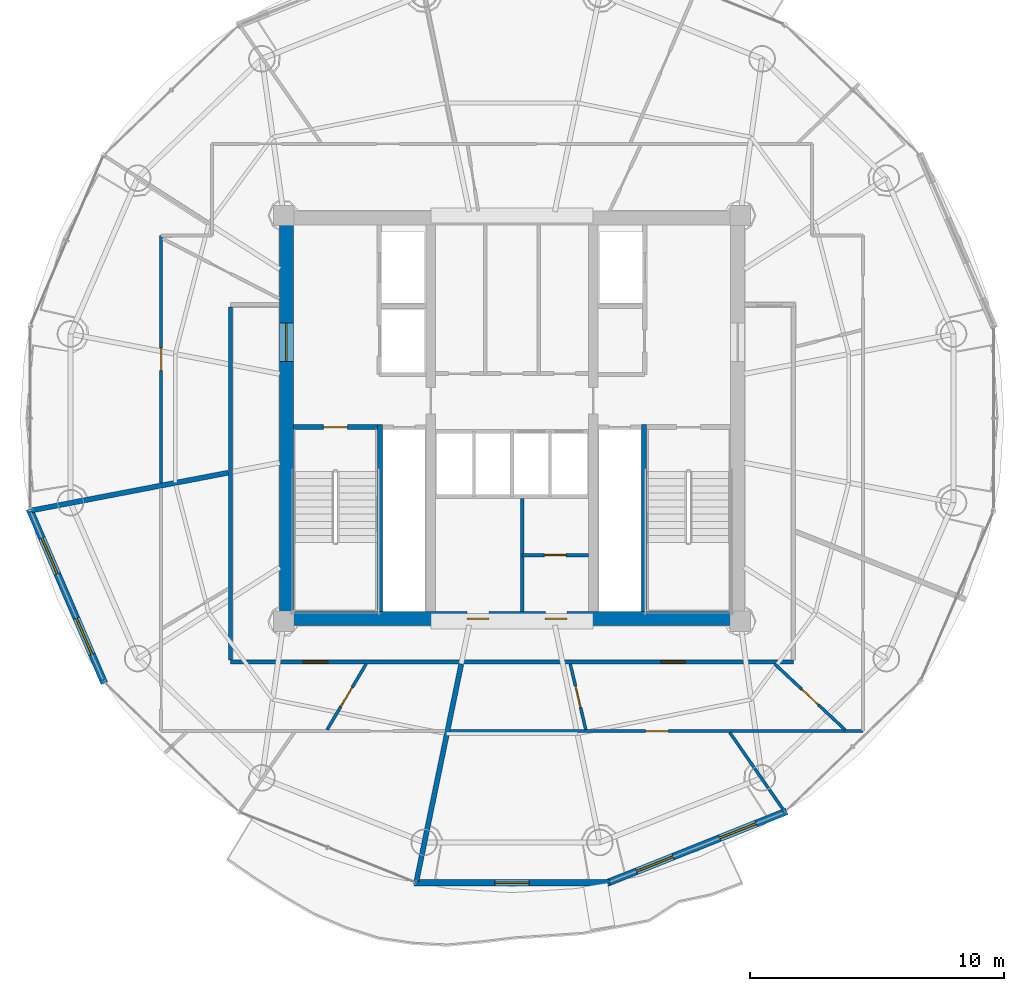
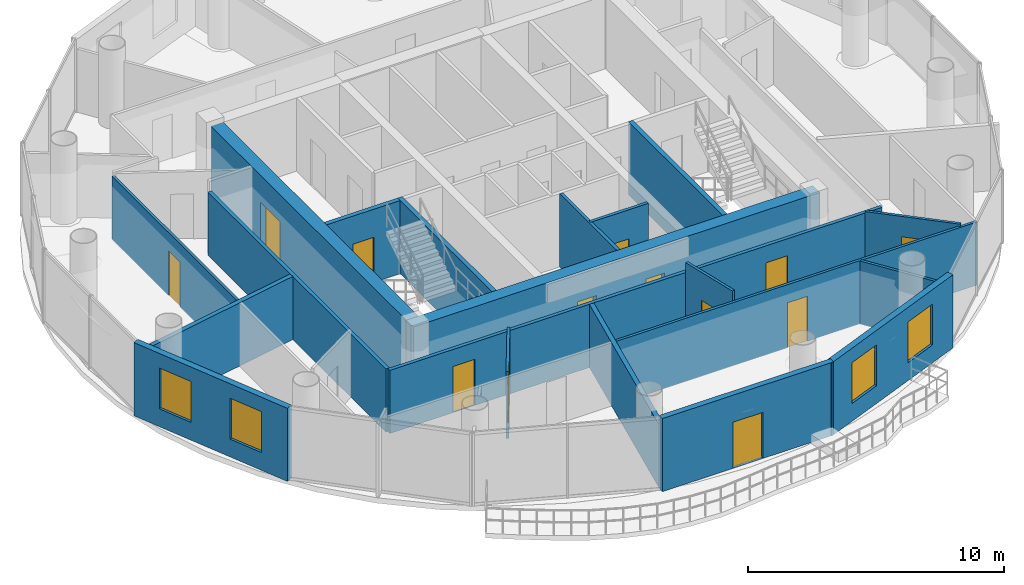
# One storey, part 17 of 23: 20 walls, 13 doors, 4 windows, 17 openings.
"""IFC4 building model written with IfcOpenShell, lengths in metres."""

from ifc_helpers import new_model, si_unit, direction, frame, frame_2d, origin, place, context, subcontext, project, spatial, rectangle, extrude, source, transform, mapped, material, layer, layer_set, type_object, element, fill, save


model = new_model("IFC4")

# Units and contexts
model_context = context("Model", 3, precision=1e-05, world=origin(), true_north=direction((-0.2419218956, 0.970295726276)))
body_context = subcontext(model_context, "Body", "Model", "MODEL_VIEW")
ifc_project = project(units=[si_unit("LENGTHUNIT", "METRE"), si_unit("AREAUNIT", "SQUARE_METRE"), si_unit("VOLUMEUNIT", "CUBIC_METRE"), si_unit("PLANEANGLEUNIT", "RADIAN"), si_unit("MASSUNIT", "GRAM", prefix="KILO")], contexts=[model_context])

# Site, building, storey
site_placement = place(None, origin())
site = spatial("IfcSite", under=ifc_project, at=site_placement, CompositionType="ELEMENT")
building_placement = place(site_placement, origin())
building = spatial("IfcBuilding", under=site, at=building_placement, Name="Cobrevalo Terracotta Tower", CompositionType="ELEMENT")
storey_placement = place(building_placement, frame((0.0, 0.0, 248.199951171875)))
storey = spatial("IfcBuildingStorey", under=building, at=storey_placement, Name="L65", CompositionType="ELEMENT", Elevation=248.199951171875)

# Wall, openings, doors
ifc_material_1 = material(Name="Concrete C50", Category="concrete")
ifc_layer_1 = layer(ifc_material_1, 0.550048828125)
ifc_layer_set_1 = layer_set([ifc_layer_1], Name="Concrete C50")
wall_type_1 = type_object("IfcWallType", Name="Core shear wall 550 mm Concrete C50", PredefinedType="SHEAR", material=ifc_layer_set_1)
wall_1_placement = place(storey_placement, frame((28.824951171875, 18.89990234375, 0.0), z_axis=(0.0, 0.0, 1.0), x_axis=(1.0, 0.0, 0.0)))
wall_1 = element("IfcWall", 1, at=wall_1_placement, inside=storey, type_object=wall_type_1, Name="L65 south core shear wall", PredefinedType="SHEAR", context=body_context, shape_type="SweptSolid", body=[
    extrude(rectangle(XDim=18.35009765625, YDim=0.550048828125, at=frame_2d((9.175048828125, 0.0))), origin(), (0.0, 0.0, 1.0), 3.489990234375),
])
opening_1_placement = place(wall_1_placement, frame((7.409912109375, 0.0, 0.0)))
opening_1 = element("IfcOpeningElement", 2, at=opening_1_placement, cuts=wall_1, Name="Opening ID-22", PredefinedType="OPENING", context=body_context, shape_type="SweptSolid", body=[
    extrude(rectangle(XDim=0.85009765625, YDim=2.10009765625, at=frame_2d((0.425048828125, 1.050048828125))), frame((0.0, 0.28515625, 0.0), z_axis=(0.0, -1.0, 0.0), x_axis=(1.0, 0.0, 0.0)), (0.0, 0.0, 1.0), 0.570068359375),
])
opening_2_placement = place(wall_1_placement, frame((10.489990234375, 0.0, 0.0)))
opening_2 = element("IfcOpeningElement", 3, at=opening_2_placement, cuts=wall_1, Name="Opening ID-22", PredefinedType="OPENING", context=body_context, shape_type="SweptSolid", body=[
    extrude(rectangle(XDim=0.85009765625, YDim=2.10009765625, at=frame_2d((0.425048828125, 1.050048828125))), frame((0.0, 0.28515625, 0.0), z_axis=(0.0, -1.0, 0.0), x_axis=(1.0, 0.0, 0.0)), (0.0, 0.0, 1.0), 0.570068359375),
])
ifc_material_2 = material(Name="Powder-coated steel", Category="steel")
door_type_1 = type_object("IfcDoorType", Name="Riser shaft & meter closet fire access door 850x2100 EI 60", OperationType="NOTDEFINED", PredefinedType="DOOR", material=ifc_material_2)
shared_shape_1 = source(origin(), body_context, "Body", "SweptSolid", [
    extrude(rectangle(XDim=0.85009765625, YDim=2.10009765625, at=frame_2d((0.425048828125, 1.050048828125))), frame((0.0, 0.02490234375, 0.0), z_axis=(0.0, -1.0, 0.0), x_axis=(1.0, 0.0, 0.0)), (0.0, 0.0, 1.0), 0.050048828125),
])
door_1_placement = place(opening_1_placement, origin())
door_1 = element("IfcDoor", 4, at=door_1_placement, inside=storey, type_object=door_type_1, Name="L65 core south plant door Floor AHU Mechanical Plant", OperationType="SINGLE_SWING_RIGHT", OverallHeight=2.10009765625, OverallWidth=0.85009765625, PredefinedType="DOOR", context=body_context, shape_type="MappedRepresentation", body=[
    mapped(shared_shape_1, transform((0.0, 0.0, 0.0), scale=1.0)),
])
fill(opening_1, door_1)
door_2_placement = place(opening_2_placement, origin())
door_2 = element("IfcDoor", 5, at=door_2_placement, inside=storey, type_object=door_type_1, Name="L65 core south plant door Sprinkler Valve Plant", OperationType="SINGLE_SWING_RIGHT", OverallHeight=2.10009765625, OverallWidth=0.85009765625, PredefinedType="DOOR", context=body_context, shape_type="MappedRepresentation", body=[
    mapped(shared_shape_1, transform((0.0, 0.0, 0.0), scale=1.0)),
])
fill(opening_2, door_2)

# Wall, opening, door
wall_2_placement = place(storey_placement, frame((29.10009765625, 19.175048828125, 0.0), z_axis=(0.0, 0.0, 1.0), x_axis=(0.0, 1.0, 0.0)))
wall_2 = element("IfcWall", 6, at=wall_2_placement, inside=storey, type_object=wall_type_1, Name="L65 west core shear wall", PredefinedType="SHEAR", context=body_context, shape_type="SweptSolid", body=[
    extrude(rectangle(XDim=15.25, YDim=0.550048828125, at=frame_2d((7.625, 0.0))), origin(), (0.0, 0.0, 1.0), 3.489990234375),
])
opening_3_placement = place(wall_2_placement, frame((9.875, 0.0, 0.0)))
opening_3 = element("IfcOpeningElement", 7, at=opening_3_placement, cuts=wall_2, Name="Opening ID-14", PredefinedType="OPENING", context=body_context, shape_type="SweptSolid", body=[
    extrude(rectangle(XDim=1.5, YDim=2.199951171875, at=frame_2d((0.75, 1.10009765625))), frame((0.0, 0.28515625, 0.0), z_axis=(0.0, -1.0, 0.0), x_axis=(1.0, 0.0, 0.0)), (0.0, 0.0, 1.0), 0.570068359375),
])
ifc_material_3 = material(Name="Galvanized fire-rated steel", Category="steel")
door_type_2 = type_object("IfcDoorType", Name="Core cross-lobby double fire door 1500x2200 EI 90", OperationType="NOTDEFINED", PredefinedType="DOOR", material=ifc_material_3)
shared_shape_2 = source(origin(), body_context, "Body", "SweptSolid", [
    extrude(rectangle(XDim=1.5, YDim=2.199951171875, at=frame_2d((0.75, 1.10009765625))), frame((0.0, 0.02490234375, 0.0), z_axis=(0.0, -1.0, 0.0), x_axis=(1.0, 0.0, 0.0)), (0.0, 0.0, 1.0), 0.050048828125),
])
door_3_placement = place(opening_3_placement, origin())
door_3 = element("IfcDoor", 8, at=door_3_placement, inside=storey, type_object=door_type_2, Name="L65 west firefighting lobby entrance door", OperationType="DOUBLE_DOOR_SINGLE_SWING", OverallHeight=2.199951171875, OverallWidth=1.5, PredefinedType="DOOR", context=body_context, shape_type="MappedRepresentation", body=[
    mapped(shared_shape_2, transform((0.0, 0.0, 0.0), scale=1.0)),
])
fill(opening_3, door_3)

# Wall, openings, doors
ifc_material_4 = material(Name="Gypsum board on steel stud", Category="steel")
ifc_layer_2 = layer(ifc_material_4, 0.159912109375)
ifc_layer_set_2 = layer_set([ifc_layer_2], Name="Gypsum board on steel stud")
wall_type_2 = type_object("IfcWallType", Name="Fire-rated corridor acoustic partition wall 160 mm", PredefinedType="PARTITIONING", material=ifc_layer_set_2)
wall_3_placement = place(storey_placement, frame((26.89501953125, 17.195068359375, 0.0), z_axis=(0.0, 0.0, 1.0), x_axis=(1.0, 0.0, 0.0)))
wall_3 = element("IfcWall", 9, at=wall_3_placement, inside=storey, type_object=wall_type_2, Name="L65 interior partition IW-L65-COR-S", PredefinedType="PARTITIONING", context=body_context, shape_type="SweptSolid", body=[
    extrude(rectangle(XDim=22.2099609375, YDim=0.159912109375, at=frame_2d((11.10498046875, 0.0))), origin(), (0.0, 0.0, 1.0), 3.01513671875),
])
opening_4_placement = place(wall_3_placement, frame((2.86083984375, 0.0, 0.0)))
opening_4 = element("IfcOpeningElement", 10, at=opening_4_placement, cuts=wall_3, Name="Opening ID-05", PredefinedType="OPENING", context=body_context, shape_type="SweptSolid", body=[
    extrude(rectangle(XDim=0.97998046875, YDim=2.199951171875, at=frame_2d((0.489990234375, 1.10009765625))), frame((0.0, 0.08984375, 0.0), z_axis=(0.0, -1.0, 0.0), x_axis=(1.0, 0.0, 0.0)), (0.0, 0.0, 1.0), 0.179931640625),
])
opening_5_placement = place(wall_3_placement, frame((16.97021484375, 0.0, 0.0)))
opening_5 = element("IfcOpeningElement", 11, at=opening_5_placement, cuts=wall_3, Name="Opening ID-05", PredefinedType="OPENING", context=body_context, shape_type="SweptSolid", body=[
    extrude(rectangle(XDim=0.97998046875, YDim=2.199951171875, at=frame_2d((0.489990234375, 1.10009765625))), frame((0.0, 0.08984375, 0.0), z_axis=(0.0, -1.0, 0.0), x_axis=(1.0, 0.0, 0.0)), (0.0, 0.0, 1.0), 0.179931640625),
])
ifc_material_5 = material(Name="Solid hardwood timber", Category="wood")
door_type_3 = type_object("IfcDoorType", Name="Residence entrance fire-rated acoustic timber door 980x2200 EI 60", OperationType="NOTDEFINED", PredefinedType="DOOR", material=ifc_material_5)
shared_shape_3 = source(origin(), body_context, "Body", "SweptSolid", [
    extrude(rectangle(XDim=0.97998046875, YDim=2.199951171875, at=frame_2d((0.489990234375, 1.10009765625))), frame((0.0, 0.02490234375, 0.0), z_axis=(0.0, -1.0, 0.0), x_axis=(1.0, 0.0, 0.0)), (0.0, 0.0, 1.0), 0.050048828125),
])
door_4_placement = place(opening_4_placement, origin())
door_4 = element("IfcDoor", 12, at=door_4_placement, inside=storey, type_object=door_type_3, Name="Flat L65B fire-rated apartment entrance door", OperationType="SINGLE_SWING_RIGHT", OverallHeight=2.199951171875, OverallWidth=0.97998046875, PredefinedType="DOOR", context=body_context, shape_type="MappedRepresentation", body=[
    mapped(shared_shape_3, transform((0.0, 0.0, 0.0), scale=1.0)),
])
fill(opening_4, door_4)
door_5_placement = place(opening_5_placement, frame((0.97998046875, 0.0, 0.0), z_axis=(0.0, 0.0, 1.0), x_axis=(-1.0, 0.0, 0.0)))
door_5 = element("IfcDoor", 13, at=door_5_placement, inside=storey, type_object=door_type_3, Name="Flat L65C fire-rated apartment entrance door", OperationType="SINGLE_SWING_LEFT", OverallHeight=2.199951171875, OverallWidth=0.97998046875, PredefinedType="DOOR", context=body_context, shape_type="MappedRepresentation", body=[
    mapped(shared_shape_3, transform((0.0, 0.0, 0.0), scale=1.0)),
])
fill(opening_5, door_5)

# Walls
wall_4_placement = place(storey_placement, frame((26.89501953125, 17.27490234375, 0.0), z_axis=(0.0, 0.0, 1.0), x_axis=(0.0, 1.0, 0.0)))
element("IfcWall", 14, at=wall_4_placement, inside=storey, type_object=wall_type_2, Name="L65 interior partition IW-L65-COR-W", PredefinedType="PARTITIONING", context=body_context, shape_type="SweptSolid", body=[
    extrude(rectangle(XDim=13.925048828125, YDim=0.159912109375, at=frame_2d((6.96240234375, 0.0))), origin(), (0.0, 0.0, 1.0), 3.01513671875),
])
ifc_material_6 = material(Name="Autoclaved aerated concrete block", Category="concrete")
ifc_layer_3 = layer(ifc_material_6, 0.199951171875)
ifc_layer_set_3 = layer_set([ifc_layer_3], Name="Autoclaved aerated concrete block")
wall_type_3 = type_object("IfcWallType", Name="Fire-rated stair, shaft & demising masonry wall 200 mm", PredefinedType="PARTITIONING", material=ifc_layer_set_3)
wall_5_placement = place(storey_placement, frame((26.81494140625, 24.655517578125, 0.0), z_axis=(0.0, 0.0, 1.0), x_axis=(-0.982109889803, -0.188308694305, 0.0)))
element("IfcWall", 15, at=wall_5_placement, inside=storey, type_object=wall_type_3, Name="L65 interior partition IW-L65-DEM-2", PredefinedType="PARTITIONING", context=body_context, shape_type="SweptSolid", body=[
    extrude(rectangle(XDim=7.884033203125, YDim=0.199951171875, at=frame_2d((3.94189453125, 0.0))), origin(), (0.0, 0.0, 1.0), 3.01513671875),
])
wall_6_placement = place(storey_placement, frame((36.00146484375, 17.114990234375, 0.0), z_axis=(0.0, 0.0, 1.0), x_axis=(-0.202108543081, -0.979363128167, 0.0)))
element("IfcWall", 16, at=wall_6_placement, inside=storey, type_object=wall_type_3, Name="L65 interior partition IW-L65-DEM-3", PredefinedType="PARTITIONING", context=body_context, shape_type="SweptSolid", body=[
    extrude(rectangle(XDim=8.738525390625, YDim=0.199951171875, at=frame_2d((4.369140625, 0.0))), origin(), (0.0, 0.0, 1.0), 3.01513671875),
])

# Wall, openings, windows
ifc_layer_4 = layer(ifc_material_6, 0.280029296875)
ifc_layer_set_4 = layer_set([ifc_layer_4], Name="Autoclaved aerated concrete block")
wall_type_4 = type_object("IfcWallType", Name="Insulated tower spandrel & pier wall 280 mm with terracotta rainscreen", PredefinedType="SOLIDWALL", material=ifc_layer_set_4)
wall_7_placement = place(storey_placement, frame((18.970703125, 23.231201171875, 0.0), z_axis=(0.0, 0.0, 1.0), x_axis=(0.394816612978, -0.918759948037, 0.0)))
wall_7 = element("IfcWall", 17, at=wall_7_placement, inside=storey, type_object=wall_type_4, Name="L65 terracotta rainscreen pier wall S09", PredefinedType="SOLIDWALL", context=body_context, shape_type="SweptSolid", body=[
    extrude(rectangle(XDim=7.4853515625, YDim=0.280029296875, at=frame_2d((3.74267578125, 0.0))), origin(), (0.0, 0.0, 1.0), 3.489990234375),
])
opening_6_placement = place(wall_7_placement, frame((1.24609375, 0.0, 0.85009765625)))
opening_6 = element("IfcOpeningElement", 18, at=opening_6_placement, cuts=wall_7, Name="Opening WN-12", PredefinedType="OPENING", context=body_context, shape_type="SweptSolid", body=[
    extrude(rectangle(XDim=1.550048828125, YDim=1.949951171875, at=frame_2d((0.77490234375, 0.97509765625))), frame((0.0, 0.14990234375, 0.0), z_axis=(0.0, -1.0, 0.0), x_axis=(1.0, 0.0, 0.0)), (0.0, 0.0, 1.0), 0.300048828125),
])
opening_7_placement = place(wall_7_placement, frame((4.689208984375, 0.0, 0.85009765625)))
opening_7 = element("IfcOpeningElement", 19, at=opening_7_placement, cuts=wall_7, Name="Opening WN-12", PredefinedType="OPENING", context=body_context, shape_type="SweptSolid", body=[
    extrude(rectangle(XDim=1.550048828125, YDim=1.949951171875, at=frame_2d((0.77490234375, 0.97509765625))), frame((0.0, 0.14990234375, 0.0), z_axis=(0.0, -1.0, 0.0), x_axis=(1.0, 0.0, 0.0)), (0.0, 0.0, 1.0), 0.300048828125),
])
ifc_material_7 = material(Name="Solar-control low-E double glazing", Category="glass")
window_type = type_object("IfcWindowType", Name="Solar-control low-E aluminium window 1550x1950", PartitioningType="SINGLE_PANEL", PredefinedType="WINDOW", material=ifc_material_7)
shared_shape_4 = source(origin(), body_context, "Body", "SweptSolid", [
    extrude(rectangle(XDim=1.550048828125, YDim=1.949951171875, at=frame_2d((0.77490234375, 0.97509765625))), frame((0.0, 0.030029296875, 0.0), z_axis=(0.0, -1.0, 0.0), x_axis=(1.0, 0.0, 0.0)), (0.0, 0.0, 1.0), 0.06005859375),
])
window_1_placement = place(opening_6_placement, origin())
window_1 = element("IfcWindow", 20, at=window_1_placement, inside=storey, type_object=window_type, Name="L65 suite window S09A", OverallHeight=1.949951171875, OverallWidth=1.550048828125, PartitioningType="SINGLE_PANEL", PredefinedType="WINDOW", context=body_context, shape_type="MappedRepresentation", body=[
    mapped(shared_shape_4, transform((0.0, 0.0, 0.0), scale=1.0)),
])
fill(opening_6, window_1)
window_2_placement = place(opening_7_placement, origin())
window_2 = element("IfcWindow", 21, at=window_2_placement, inside=storey, type_object=window_type, Name="L65 suite window S09B", OverallHeight=1.949951171875, OverallWidth=1.550048828125, PartitioningType="SINGLE_PANEL", PredefinedType="WINDOW", context=body_context, shape_type="MappedRepresentation", body=[
    mapped(shared_shape_4, transform((0.0, 0.0, 0.0), scale=1.0)),
])
fill(opening_7, window_2)

wall_8_placement = place(storey_placement, frame((41.70458984375, 8.458984375, 0.0), z_axis=(0.0, 0.0, 1.0), x_axis=(0.92871332341, 0.370798547626, 0.0)))
wall_8 = element("IfcWall", 22, at=wall_8_placement, inside=storey, type_object=wall_type_4, Name="L65 terracotta rainscreen pier wall S13", PredefinedType="SOLIDWALL", context=body_context, shape_type="SweptSolid", body=[
    extrude(rectangle(XDim=7.678466796875, YDim=0.280029296875, at=frame_2d((3.83935546875, 0.0))), origin(), (0.0, 0.0, 1.0), 3.489990234375),
])
opening_8_placement = place(wall_8_placement, frame((1.298095703125, 0.0, 0.85009765625)))
opening_8 = element("IfcOpeningElement", 23, at=opening_8_placement, cuts=wall_8, Name="Opening WN-12", PredefinedType="OPENING", context=body_context, shape_type="SweptSolid", body=[
    extrude(rectangle(XDim=1.550048828125, YDim=1.949951171875, at=frame_2d((0.77490234375, 0.97509765625))), frame((0.0, 0.14990234375, 0.0), z_axis=(0.0, -1.0, 0.0), x_axis=(1.0, 0.0, 0.0)), (0.0, 0.0, 1.0), 0.300048828125),
])
opening_9_placement = place(wall_8_placement, frame((4.830078125, 0.0, 0.85009765625)))
opening_9 = element("IfcOpeningElement", 24, at=opening_9_placement, cuts=wall_8, Name="Opening WN-12", PredefinedType="OPENING", context=body_context, shape_type="SweptSolid", body=[
    extrude(rectangle(XDim=1.550048828125, YDim=1.949951171875, at=frame_2d((0.77490234375, 0.97509765625))), frame((0.0, 0.14990234375, 0.0), z_axis=(0.0, -1.0, 0.0), x_axis=(1.0, 0.0, 0.0)), (0.0, 0.0, 1.0), 0.300048828125),
])
window_3_placement = place(opening_8_placement, origin())
window_3 = element("IfcWindow", 25, at=window_3_placement, inside=storey, type_object=window_type, Name="L65 suite window S13A", OverallHeight=1.949951171875, OverallWidth=1.550048828125, PartitioningType="SINGLE_PANEL", PredefinedType="WINDOW", context=body_context, shape_type="MappedRepresentation", body=[
    mapped(shared_shape_4, transform((0.0, 0.0, 0.0), scale=1.0)),
])
fill(opening_8, window_3)
window_4_placement = place(opening_9_placement, origin())
window_4 = element("IfcWindow", 26, at=window_4_placement, inside=storey, type_object=window_type, Name="L65 suite window S13B", OverallHeight=1.949951171875, OverallWidth=1.550048828125, PartitioningType="SINGLE_PANEL", PredefinedType="WINDOW", context=body_context, shape_type="MappedRepresentation", body=[
    mapped(shared_shape_4, transform((0.0, 0.0, 0.0), scale=1.0)),
])
fill(opening_9, window_4)

# Wall
ifc_layer_5 = layer(ifc_material_6, 0.139892578125)
ifc_layer_set_5 = layer_set([ifc_layer_5], Name="Autoclaved aerated concrete block")
wall_type_5 = type_object("IfcWallType", Name="Moisture-resistant wet-room & core service partition 140 mm", PredefinedType="PARTITIONING", material=ifc_layer_set_5)
wall_9_placement = place(storey_placement, frame((38.39990234375, 19.175048828125, 0.0), z_axis=(0.0, 0.0, 1.0), x_axis=(0.0, 1.0, 0.0)))
element("IfcWall", 27, at=wall_9_placement, inside=storey, type_object=wall_type_5, Name="L65 interior partition IW-L65-KVS-L1", PredefinedType="PARTITIONING", context=body_context, shape_type="SweptSolid", body=[
    extrude(rectangle(XDim=4.46484375, YDim=0.139892578125, at=frame_2d((2.232421875, 0.0))), origin(), (0.0, 0.0, 1.0), 3.489990234375),
])

# Wall, opening, door
wall_10_placement = place(storey_placement, frame((38.39990234375, 21.407470703125, 0.0), z_axis=(0.0, 0.0, 1.0), x_axis=(1.0, 0.0, 0.0)))
wall_10 = element("IfcWall", 28, at=wall_10_placement, inside=storey, type_object=wall_type_5, Name="L65 interior partition IW-L65-KVS-L2", PredefinedType="PARTITIONING", context=body_context, shape_type="SweptSolid", body=[
    extrude(rectangle(XDim=2.610107421875, YDim=0.139892578125, at=frame_2d((1.30517578125, 0.0))), origin(), (0.0, 0.0, 1.0), 3.489990234375),
])
opening_10_placement = place(wall_10_placement, frame((0.8798828125, 0.0, 0.0)))
opening_10 = element("IfcOpeningElement", 29, at=opening_10_placement, cuts=wall_10, Name="Opening ID-22", PredefinedType="OPENING", context=body_context, shape_type="SweptSolid", body=[
    extrude(rectangle(XDim=0.85009765625, YDim=2.10009765625, at=frame_2d((0.425048828125, 1.050048828125))), frame((0.0, 0.080078125, 0.0), z_axis=(0.0, -1.0, 0.0), x_axis=(1.0, 0.0, 0.0)), (0.0, 0.0, 1.0), 0.159912109375),
])
door_6_placement = place(opening_10_placement, origin())
door_6 = element("IfcDoor", 30, at=door_6_placement, inside=storey, type_object=door_type_1, Name="L65 core KVS-L2 inner door", OperationType="SINGLE_SWING_LEFT", OverallHeight=2.10009765625, OverallWidth=0.85009765625, PredefinedType="DOOR", context=body_context, shape_type="MappedRepresentation", body=[
    mapped(shared_shape_1, transform((0.0, 0.0, 0.0), scale=1.0)),
])
fill(opening_10, door_6)

ifc_layer_6 = layer(ifc_material_6, 0.260009765625)
ifc_layer_set_6 = layer_set([ifc_layer_6], Name="Autoclaved aerated concrete block")
wall_type_6 = type_object("IfcWallType", Name="Recessed balcony loggia insulated exterior wall 260 mm", PredefinedType="SOLIDWALL", material=ifc_layer_set_6)
wall_11_placement = place(storey_placement, frame((34.14111328125, 8.48876953125, 0.0), z_axis=(0.0, 0.0, 1.0), x_axis=(1.0, 0.0, 0.0)))
wall_11 = element("IfcWall", 31, at=wall_11_placement, inside=storey, type_object=wall_type_6, Name="L65 balcony loggia wall S12", PredefinedType="SOLIDWALL", context=body_context, shape_type="SweptSolid", body=[
    extrude(rectangle(XDim=7.7177734375, YDim=0.260009765625, at=frame_2d((3.85888671875, 0.0))), origin(), (0.0, 0.0, 1.0), 3.489990234375),
])
opening_11_placement = place(wall_11_placement, frame((3.183837890625, 0.0, 0.0)))
opening_11 = element("IfcOpeningElement", 32, at=opening_11_placement, cuts=wall_11, Name="Opening ED-05", PredefinedType="OPENING", context=body_context, shape_type="SweptSolid", body=[
    extrude(rectangle(XDim=1.35009765625, YDim=2.199951171875, at=frame_2d((0.675048828125, 1.10009765625))), frame((0.0, 0.14013671875, 0.0), z_axis=(0.0, -1.0, 0.0), x_axis=(1.0, 0.0, 0.0)), (0.0, 0.0, 1.0), 0.280029296875),
])
ifc_material_8 = material(Name="Anodized aluminium and laminated glass", Category="aluminium")
door_type_4 = type_object("IfcDoorType", Name="Suite balcony acoustic glazed terrace door 1350x2200", OperationType="NOTDEFINED", PredefinedType="DOOR", material=ifc_material_8)
shared_shape_5 = source(origin(), body_context, "Body", "SweptSolid", [
    extrude(rectangle(XDim=1.35009765625, YDim=2.199951171875, at=frame_2d((0.675048828125, 1.10009765625))), frame((0.0, 0.02490234375, 0.0), z_axis=(0.0, -1.0, 0.0), x_axis=(1.0, 0.0, 0.0)), (0.0, 0.0, 1.0), 0.050048828125),
])
door_7_placement = place(opening_11_placement, frame((1.35009765625, 0.0, 0.0), z_axis=(0.0, 0.0, 1.0), x_axis=(-1.0, 0.0, 0.0)))
door_7 = element("IfcDoor", 33, at=door_7_placement, inside=storey, type_object=door_type_4, Name="L65 glazed balcony terrace door 2", OperationType="SINGLE_SWING_RIGHT", OverallHeight=2.199951171875, OverallWidth=1.35009765625, PredefinedType="DOOR", context=body_context, shape_type="MappedRepresentation", body=[
    mapped(shared_shape_5, transform((0.0, 0.0, 0.0), scale=1.0)),
])
fill(opening_11, door_7)

ifc_layer_7 = layer(ifc_material_4, 0.1201171875)
ifc_layer_set_7 = layer_set([ifc_layer_7], Name="Gypsum board on steel stud")
wall_type_7 = type_object("IfcWallType", Name="Residential internal acoustic stud partition 120 mm", PredefinedType="PARTITIONING", material=ifc_layer_set_7)
wall_12_placement = place(storey_placement, frame((24.1650390625, 24.249267578125, 0.0), z_axis=(0.0, 0.0, 1.0), x_axis=(0.0, 1.0, 0.0)))
wall_12 = element("IfcWall", 34, at=wall_12_placement, inside=storey, type_object=wall_type_7, Name="L65 interior partition IW-L65-U1-RING0_0", PredefinedType="PARTITIONING", context=body_context, shape_type="SweptSolid", body=[
    extrude(rectangle(XDim=9.7607421875, YDim=0.1201171875, at=frame_2d((4.88037109375, 0.0))), origin(), (0.0, 0.0, 1.0), 3.01513671875),
])
opening_12_placement = place(wall_12_placement, frame((4.430419921875, 0.0, 0.0)))
opening_12 = element("IfcOpeningElement", 35, at=opening_12_placement, cuts=wall_12, Name="Opening ID-12", PredefinedType="OPENING", context=body_context, shape_type="SweptSolid", body=[
    extrude(rectangle(XDim=0.89990234375, YDim=2.14990234375, at=frame_2d((0.449951171875, 1.074951171875))), frame((0.0, 0.070068359375, 0.0), z_axis=(0.0, -1.0, 0.0), x_axis=(1.0, 0.0, 0.0)), (0.0, 0.0, 1.0), 0.14013671875),
])
ifc_material_9 = material(Name="Engineered timber", Category="wood")
door_type_5 = type_object("IfcDoorType", Name="Internal residence & suite timber door 900x2150", OperationType="NOTDEFINED", PredefinedType="DOOR", material=ifc_material_9)
shared_shape_6 = source(origin(), body_context, "Body", "SweptSolid", [
    extrude(rectangle(XDim=0.89990234375, YDim=2.14990234375, at=frame_2d((0.449951171875, 1.074951171875))), frame((0.0, 0.02490234375, 0.0), z_axis=(0.0, -1.0, 0.0), x_axis=(1.0, 0.0, 0.0)), (0.0, 0.0, 1.0), 0.050048828125),
])
door_8_placement = place(opening_12_placement, origin())
door_8 = element("IfcDoor", 36, at=door_8_placement, inside=storey, type_object=door_type_5, Name="Flat L65A Private Cinema Room internal door", OperationType="SINGLE_SWING_LEFT", OverallHeight=2.14990234375, OverallWidth=0.89990234375, PredefinedType="DOOR", context=body_context, shape_type="MappedRepresentation", body=[
    mapped(shared_shape_6, transform((0.0, 0.0, 0.0), scale=1.0)),
])
fill(opening_12, door_8)

wall_13_placement = place(storey_placement, frame((32.248291015625, 17.114990234375, 0.0), z_axis=(0.0, 0.0, 1.0), x_axis=(-0.510591051721, -0.85982369001, 0.0)))
wall_13 = element("IfcWall", 37, at=wall_13_placement, inside=storey, type_object=wall_type_7, Name="L65 interior partition IW-L65-U2-IRAD2", PredefinedType="PARTITIONING", context=body_context, shape_type="SweptSolid", body=[
    extrude(rectangle(XDim=3.02001953125, YDim=0.1201171875, at=frame_2d((1.510009765625, 0.0))), origin(), (0.0, 0.0, 1.0), 3.208984375),
])
opening_13_placement = place(wall_13_placement, frame((1.06005859375, 0.0, 0.0)))
opening_13 = element("IfcOpeningElement", 38, at=opening_13_placement, cuts=wall_13, Name="Opening ID-12", PredefinedType="OPENING", context=body_context, shape_type="SweptSolid", body=[
    extrude(rectangle(XDim=0.89990234375, YDim=2.14990234375, at=frame_2d((0.449951171875, 1.074951171875))), frame((0.0, 0.070068359375, 0.0), z_axis=(0.0, -1.0, 0.0), x_axis=(1.0, 0.0, 0.0)), (0.0, 0.0, 1.0), 0.14013671875),
])
door_9_placement = place(opening_13_placement, origin())
door_9 = element("IfcDoor", 39, at=door_9_placement, inside=storey, type_object=door_type_5, Name="Flat L65B Kitchen internal door", OperationType="SINGLE_SWING_LEFT", OverallHeight=2.14990234375, OverallWidth=0.89990234375, PredefinedType="DOOR", context=body_context, shape_type="MappedRepresentation", body=[
    mapped(shared_shape_6, transform((0.0, 0.0, 0.0), scale=1.0)),
])
fill(opening_13, door_9)

wall_14_placement = place(storey_placement, frame((51.8349609375, 14.465087890625, 0.0), z_axis=(0.0, 0.0, 1.0), x_axis=(-1.0, 0.0, 0.0)))
wall_14 = element("IfcWall", 40, at=wall_14_placement, inside=storey, type_object=wall_type_7, Name="L65 interior partition IW-L65-U3-RING1_0", PredefinedType="PARTITIONING", context=body_context, shape_type="SweptSolid", body=[
    extrude(rectangle(XDim=16.2783203125, YDim=0.1201171875, at=frame_2d((8.13916015625, 0.0))), origin(), (0.0, 0.0, 1.0), 3.01513671875),
])
opening_14_placement = place(wall_14_placement, frame((7.664794921875, 0.0, 0.0)))
opening_14 = element("IfcOpeningElement", 41, at=opening_14_placement, cuts=wall_14, Name="Opening ID-12", PredefinedType="OPENING", context=body_context, shape_type="SweptSolid", body=[
    extrude(rectangle(XDim=0.89990234375, YDim=2.14990234375, at=frame_2d((0.449951171875, 1.074951171875))), frame((0.0, 0.070068359375, 0.0), z_axis=(0.0, -1.0, 0.0), x_axis=(1.0, 0.0, 0.0)), (0.0, 0.0, 1.0), 0.14013671875),
])
door_10_placement = place(opening_14_placement, origin())
door_10 = element("IfcDoor", 42, at=door_10_placement, inside=storey, type_object=door_type_5, Name="Flat L65C Living and Dining Room internal door", OperationType="SINGLE_SWING_LEFT", OverallHeight=2.14990234375, OverallWidth=0.89990234375, PredefinedType="DOOR", context=body_context, shape_type="MappedRepresentation", body=[
    mapped(shared_shape_6, transform((0.0, 0.0, 0.0), scale=1.0)),
])
fill(opening_14, door_10)

# Wall
wall_15_placement = place(storey_placement, frame((46.5859375, 14.4140625, 0.0), z_axis=(0.0, 0.0, 1.0), x_axis=(0.569657021681, -0.821882520589, 0.0)))
element("IfcWall", 43, at=wall_15_placement, inside=storey, type_object=wall_type_7, Name="L65 interior partition IW-L65-U3-ORAD1", PredefinedType="PARTITIONING", context=body_context, shape_type="SweptSolid", body=[
    extrude(rectangle(XDim=3.747802734375, YDim=0.1201171875, at=frame_2d((1.8740234375, 0.0))), origin(), (0.0, 0.0, 1.0), 3.01513671875),
])

# Wall, opening, door
wall_16_placement = place(storey_placement, frame((40.29638671875, 17.114990234375, 0.0), z_axis=(0.0, 0.0, 1.0), x_axis=(0.230710960444, -0.973022328999, 0.0)))
wall_16 = element("IfcWall", 44, at=wall_16_placement, inside=storey, type_object=wall_type_7, Name="L65 interior partition IW-L65-U3-IRAD1", PredefinedType="PARTITIONING", context=body_context, shape_type="SweptSolid", body=[
    extrude(rectangle(XDim=2.661376953125, YDim=0.1201171875, at=frame_2d((1.33056640625, 0.0))), origin(), (0.0, 0.0, 1.0), 3.489990234375),
])
opening_15_placement = place(wall_16_placement, frame((0.900634765625, 0.0, 0.0)))
opening_15 = element("IfcOpeningElement", 45, at=opening_15_placement, cuts=wall_16, Name="Opening ID-19", PredefinedType="OPENING", context=body_context, shape_type="SweptSolid", body=[
    extrude(rectangle(XDim=0.860107421875, YDim=2.14990234375, at=frame_2d((0.43017578125, 1.074951171875))), frame((0.0, 0.070068359375, 0.0), z_axis=(0.0, -1.0, 0.0), x_axis=(1.0, 0.0, 0.0)), (0.0, 0.0, 1.0), 0.14013671875),
])
ifc_material_10 = material(Name="Moisture-sealed timber", Category="wood")
door_type_6 = type_object("IfcDoorType", Name="Suite bathroom internal timber door 860x2150", OperationType="NOTDEFINED", PredefinedType="DOOR", material=ifc_material_10)
shared_shape_7 = source(origin(), body_context, "Body", "SweptSolid", [
    extrude(rectangle(XDim=0.860107421875, YDim=2.14990234375, at=frame_2d((0.43017578125, 1.074951171875))), frame((0.0, 0.02490234375, 0.0), z_axis=(0.0, -1.0, 0.0), x_axis=(1.0, 0.0, 0.0)), (0.0, 0.0, 1.0), 0.050048828125),
])
door_11_placement = place(opening_15_placement, frame((0.860107421875, 0.0, 0.0), z_axis=(0.0, 0.0, 1.0), x_axis=(-1.0, 0.0, 0.0)))
door_11 = element("IfcDoor", 46, at=door_11_placement, inside=storey, type_object=door_type_6, Name="Flat L65C Primary Bathroom internal door", OperationType="SINGLE_SWING_RIGHT", OverallHeight=2.14990234375, OverallWidth=0.860107421875, PredefinedType="DOOR", context=body_context, shape_type="MappedRepresentation", body=[
    mapped(shared_shape_7, transform((0.0, 0.0, 0.0), scale=1.0)),
])
fill(opening_15, door_11)

wall_17_placement = place(storey_placement, frame((48.35791015625, 17.114990234375, 0.0), z_axis=(0.0, 0.0, 1.0), x_axis=(0.730431927487, -0.682985504464, 0.0)))
wall_17 = element("IfcWall", 47, at=wall_17_placement, inside=storey, type_object=wall_type_7, Name="L65 interior partition IW-L65-U3-IRAD2", PredefinedType="PARTITIONING", context=body_context, shape_type="SweptSolid", body=[
    extrude(rectangle(XDim=3.818115234375, YDim=0.1201171875, at=frame_2d((1.9091796875, 0.0))), origin(), (0.0, 0.0, 1.0), 3.12109375),
])
opening_16_placement = place(wall_17_placement, frame((1.458984375, 0.0, 0.0)))
opening_16 = element("IfcOpeningElement", 48, at=opening_16_placement, cuts=wall_17, Name="Opening ID-12", PredefinedType="OPENING", context=body_context, shape_type="SweptSolid", body=[
    extrude(rectangle(XDim=0.89990234375, YDim=2.14990234375, at=frame_2d((0.449951171875, 1.074951171875))), frame((0.0, 0.070068359375, 0.0), z_axis=(0.0, -1.0, 0.0), x_axis=(1.0, 0.0, 0.0)), (0.0, 0.0, 1.0), 0.14013671875),
])
door_12_placement = place(opening_16_placement, origin())
door_12 = element("IfcDoor", 49, at=door_12_placement, inside=storey, type_object=door_type_5, Name="Flat L65C Kitchen internal door", OperationType="SINGLE_SWING_RIGHT", OverallHeight=2.14990234375, OverallWidth=0.89990234375, PredefinedType="DOOR", context=body_context, shape_type="MappedRepresentation", body=[
    mapped(shared_shape_6, transform((0.0, 0.0, 0.0), scale=1.0)),
])
fill(opening_16, door_12)

# Wall
ifc_layer_8 = layer(ifc_material_1, 0.199951171875)
ifc_layer_set_8 = layer_set([ifc_layer_8], Name="Concrete C50")
wall_type_8 = type_object("IfcWallType", Name="Structural core & podium stair-shaft RC wall 200 mm Concrete C50", PredefinedType="SOLIDWALL", material=ifc_layer_set_8)
wall_18_placement = place(storey_placement, frame((32.794921875, 19.175048828125, 0.0), z_axis=(0.0, 0.0, 1.0), x_axis=(0.0, 1.0, 0.0)))
element("IfcWall", 50, at=wall_18_placement, inside=storey, type_object=wall_type_8, Name="L65 ST-1 east structural shaft wall", PredefinedType="SOLIDWALL", context=body_context, shape_type="SweptSolid", body=[
    extrude(rectangle(XDim=7.375, YDim=0.199951171875, at=frame_2d((3.6875, 0.0))), origin(), (0.0, 0.0, 1.0), 3.489990234375),
])

# Wall, opening, door
wall_19_placement = place(storey_placement, frame((29.375, 26.449951171875, 0.0), z_axis=(0.0, 0.0, 1.0), x_axis=(1.0, 0.0, 0.0)))
wall_19 = element("IfcWall", 51, at=wall_19_placement, inside=storey, type_object=wall_type_8, Name="L65 ST-1 north structural shaft wall", PredefinedType="SOLIDWALL", context=body_context, shape_type="SweptSolid", body=[
    extrude(rectangle(XDim=3.320068359375, YDim=0.199951171875, at=frame_2d((1.66015625, 0.0))), origin(), (0.0, 0.0, 1.0), 3.489990234375),
])
opening_17_placement = place(wall_19_placement, frame((1.18505859375, 0.0, 0.0)))
opening_17 = element("IfcOpeningElement", 52, at=opening_17_placement, cuts=wall_19, Name="Opening ID-04", PredefinedType="OPENING", context=body_context, shape_type="SweptSolid", body=[
    extrude(rectangle(XDim=0.949951171875, YDim=2.14990234375, at=frame_2d((0.47509765625, 1.074951171875))), frame((0.0, 0.10986328125, 0.0), z_axis=(0.0, -1.0, 0.0), x_axis=(1.0, 0.0, 0.0)), (0.0, 0.0, 1.0), 0.219970703125),
])
door_type_7 = type_object("IfcDoorType", Name="Stair & firefighting lobby fire door 950x2150 EI 90", OperationType="NOTDEFINED", PredefinedType="DOOR", material=ifc_material_3)
shared_shape_8 = source(origin(), body_context, "Body", "SweptSolid", [
    extrude(rectangle(XDim=0.949951171875, YDim=2.14990234375, at=frame_2d((0.47509765625, 1.074951171875))), frame((0.0, 0.02490234375, 0.0), z_axis=(0.0, -1.0, 0.0), x_axis=(1.0, 0.0, 0.0)), (0.0, 0.0, 1.0), 0.050048828125),
])
door_13_placement = place(opening_17_placement, origin())
door_13 = element("IfcDoor", 53, at=door_13_placement, inside=storey, type_object=door_type_7, Name="L65 protected stair ST1 fire door", OperationType="SINGLE_SWING_LEFT", OverallHeight=2.14990234375, OverallWidth=0.949951171875, PredefinedType="DOOR", context=body_context, shape_type="MappedRepresentation", body=[
    mapped(shared_shape_8, transform((0.0, 0.0, 0.0), scale=1.0)),
])
fill(opening_17, door_13)

# Wall
wall_20_placement = place(storey_placement, frame((43.205078125, 19.175048828125, 0.0), z_axis=(0.0, 0.0, 1.0), x_axis=(0.0, 1.0, 0.0)))
element("IfcWall", 54, at=wall_20_placement, inside=storey, type_object=wall_type_8, Name="L65 ST-2 west structural shaft wall", PredefinedType="SOLIDWALL", context=body_context, shape_type="SweptSolid", body=[
    extrude(rectangle(XDim=7.375, YDim=0.199951171875, at=frame_2d((3.6875, 0.0))), origin(), (0.0, 0.0, 1.0), 3.489990234375),
])

save(model, "model.ifc")
